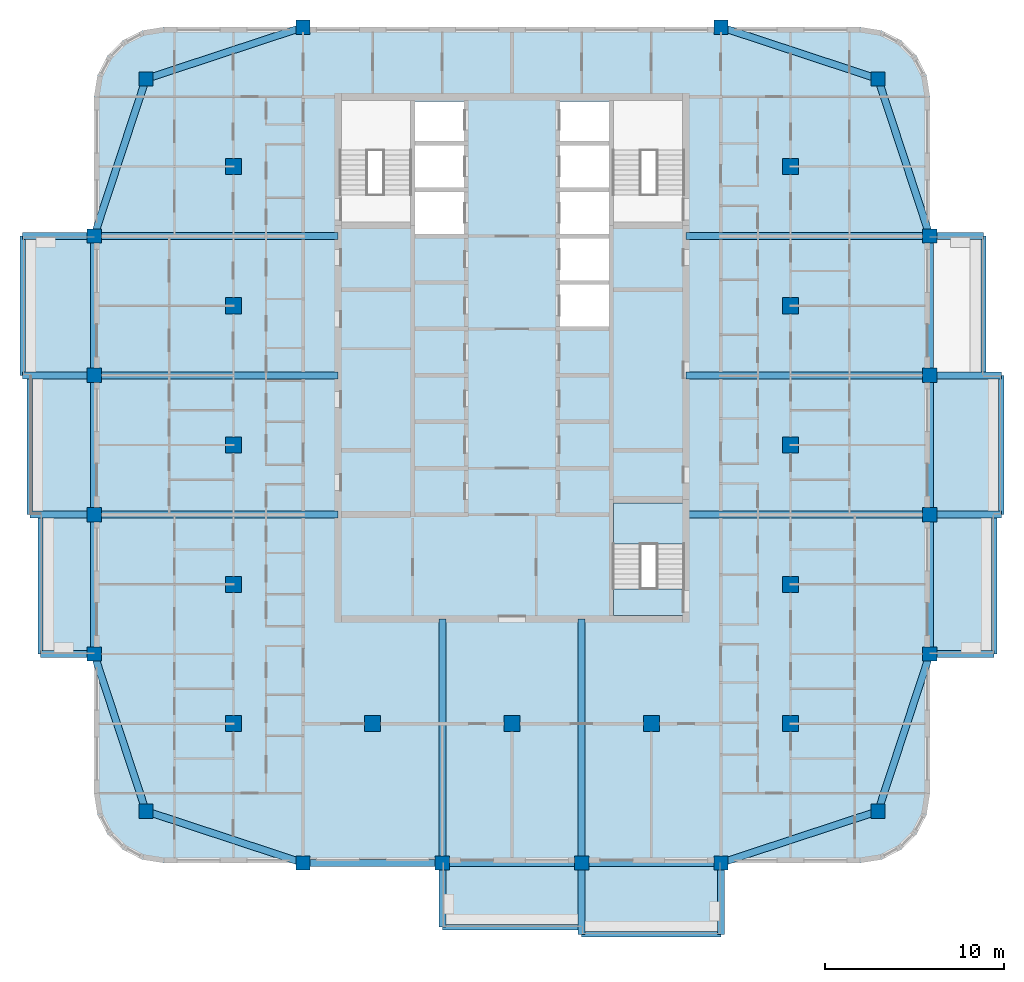
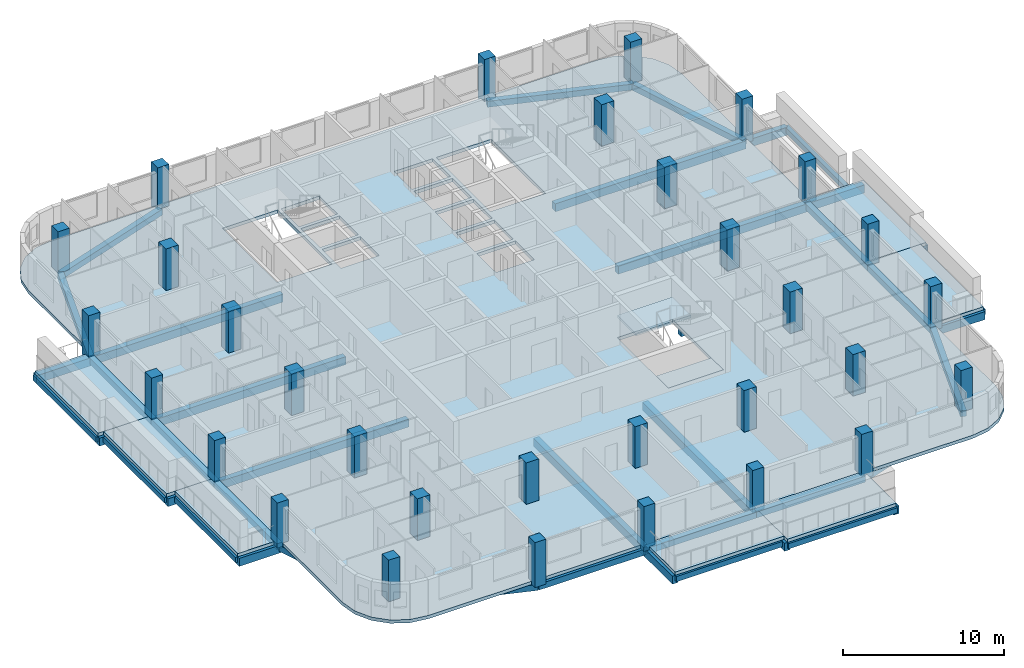
# One storey, part 1 of 16: 44 beams, 31 columns, 10 slabs, 1 element without a shape of its own.
"""IFC4 building model written with IfcOpenShell, lengths in metres."""

from ifc_helpers import new_model, si_unit, direction, frame, origin, origin_2d, place, context, subcontext, project, spatial, polyline, rectangle, outline, extrude, material, layer, layer_set, material_profile, profile_set, type_object, element, aggregate, save


model = new_model("IFC4")

# Units and contexts
model_context = context("Model", 3, precision=1e-05, world=origin(), true_north=direction((0.0, 1.0)))
body_context = subcontext(model_context, "Body", "Model", "MODEL_VIEW")
ifc_project = project(units=[si_unit("LENGTHUNIT", "METRE"), si_unit("AREAUNIT", "SQUARE_METRE"), si_unit("VOLUMEUNIT", "CUBIC_METRE"), si_unit("PLANEANGLEUNIT", "RADIAN"), si_unit("MASSUNIT", "GRAM", prefix="KILO")], contexts=[model_context])

# Site, building, storey
site_placement = place(None, origin())
site = spatial("IfcSite", under=ifc_project, at=site_placement, CompositionType="ELEMENT")
building_placement = place(site_placement, origin())
building = spatial("IfcBuilding", under=site, at=building_placement, Name="Ludao Terraces", CompositionType="ELEMENT")
storey_placement = place(building_placement, frame((0.0, 0.0, 234.699951171875)))
storey = spatial("IfcBuildingStorey", under=building, at=storey_placement, Name="L64", CompositionType="ELEMENT", Elevation=234.699951171875)

# Columns
ifc_material_1 = material(Name="Concrete C50", Category="concrete")
ifc_material_profile_1 = material_profile(ifc_material_1, rectangle(XDim=0.800048828125, YDim=0.800048828125, at=origin_2d()), Name="800 X 800")
ifc_profile_set_1 = profile_set([ifc_material_profile_1], Name="Concrete C50")
column_type_1 = type_object("IfcColumnType", Name="RC column 800x800 C50", PredefinedType="COLUMN", material=ifc_profile_set_1)
for number, where, z_axis, x_axis, name in (
    (1, (64.5, 44.5, -0.25), (0.0, 0.0, 1.0), (1.0, 0.0, 0.0), "Column L64 C0029x0029"),
    (2, (105.5, 44.5, -0.25), (0.0, 0.0, 1.0), (1.0, 0.0, 0.0), "Column L64 C0439x0029"),
    (3, (64.5, 85.5, -0.25), (0.0, 0.0, 1.0), (1.0, 0.0, 0.0), "Column L64 C0029x0439"),
    (4, (105.5, 85.5, -0.25), (0.0, 0.0, 1.0), (1.0, 0.0, 0.0), "Column L64 C0439x0439"),
    (5, (61.60009765625, 53.300048828125, -0.25), (0.0, 0.0, 1.0), (1.0, 0.0, 0.0), "Column L64 F0000x0117"),
    (6, (108.39990234375, 53.300048828125, -0.25), (0.0, 0.0, 1.0), (1.0, 0.0, 0.0), "Column L64 F0468x0117"),
    (7, (73.300048828125, 41.60009765625, -0.25), (0.0, 0.0, 1.0), (1.0, 0.0, 0.0), "Column L64 F0117x0000"),
    (8, (73.300048828125, 88.39990234375, -0.25), (0.0, 0.0, 1.0), (1.0, 0.0, 0.0), "Column L64 F0117x0468"),
    (9, (61.60009765625, 61.10009765625, -0.25), (0.0, 0.0, 1.0), (1.0, 0.0, 0.0), "Column L64 F0000x0195"),
    (10, (108.39990234375, 61.10009765625, -0.25), (0.0, 0.0, 1.0), (1.0, 0.0, 0.0), "Column L64 F0468x0195"),
    (11, (81.10009765625, 41.60009765625, -0.25), (0.0, 0.0, 1.0), (1.0, 0.0, 0.0), "Column L64 F0195x0000"),
    (12, (61.60009765625, 68.89990234375, -0.25), (0.0, 0.0, 1.0), (1.0, 0.0, 0.0), "Column L64 F0000x0273"),
    (13, (108.39990234375, 68.89990234375, -0.25), (0.0, 0.0, 1.0), (1.0, 0.0, 0.0), "Column L64 F0468x0273"),
    (14, (88.89990234375, 41.60009765625, -0.25), (0.0, 0.0, 1.0), (1.0, 0.0, 0.0), "Column L64 F0273x0000"),
    (15, (61.60009765625, 76.699951171875, -0.25), (0.0, 0.0, 1.0), (1.0, 0.0, 0.0), "Column L64 F0000x0351"),
    (16, (108.39990234375, 76.699951171875, -0.25), (0.0, 0.0, 1.0), (1.0, 0.0, 0.0), "Column L64 F0468x0351"),
    (17, (96.699951171875, 41.60009765625, -0.25), (0.0, 0.0, 1.0), (1.0, 0.0, 0.0), "Column L64 F0351x0000"),
    (18, (96.699951171875, 88.39990234375, -0.25), (0.0, 0.0, 1.0), (1.0, 0.0, 0.0), "Column L64 F0351x0468"),
):
    element("IfcColumn", number, at=place(storey_placement, frame(where, z_axis=z_axis, x_axis=x_axis)), inside=storey, type_object=column_type_1, Name=name, PredefinedType="COLUMN", context=body_context, shape_type="SweptSolid", body=[
        extrude(rectangle(XDim=0.800048828125, YDim=0.800048828125, at=origin_2d()), origin(), (0.0, 0.0, 1.0), 3.400146484375),
    ])
ifc_material_profile_2 = material_profile(ifc_material_1, rectangle(XDim=0.89990234375, YDim=0.89990234375, at=origin_2d()), Name="900 X 900")
ifc_profile_set_2 = profile_set([ifc_material_profile_2], Name="Concrete C50")
column_type_2 = type_object("IfcColumnType", Name="RC column 900x900 C50", PredefinedType="COLUMN", material=ifc_profile_set_2)
for number, where, z_axis, x_axis, name in (
    (19, (69.39990234375, 49.39990234375, -0.25), (0.0, 0.0, 1.0), (1.0, 0.0, 0.0), "Column L64 S0078x0078"),
    (20, (69.39990234375, 57.199951171875, -0.25), (0.0, 0.0, 1.0), (1.0, 0.0, 0.0), "Column L64 S0078x0156"),
    (21, (69.39990234375, 65.0, -0.25), (0.0, 0.0, 1.0), (1.0, 0.0, 0.0), "Column L64 S0078x0234"),
    (22, (69.39990234375, 72.800048828125, -0.25), (0.0, 0.0, 1.0), (1.0, 0.0, 0.0), "Column L64 S0078x0312"),
    (23, (69.39990234375, 80.60009765625, -0.25), (0.0, 0.0, 1.0), (1.0, 0.0, 0.0), "Column L64 S0078x0390"),
    (24, (77.199951171875, 49.39990234375, -0.25), (0.0, 0.0, 1.0), (1.0, 0.0, 0.0), "Column L64 S0156x0078"),
    (25, (85.0, 49.39990234375, -0.25), (0.0, 0.0, 1.0), (1.0, 0.0, 0.0), "Column L64 S0234x0078"),
    (26, (92.800048828125, 49.39990234375, -0.25), (0.0, 0.0, 1.0), (1.0, 0.0, 0.0), "Column L64 S0312x0078"),
    (27, (100.60009765625, 49.39990234375, -0.25), (0.0, 0.0, 1.0), (1.0, 0.0, 0.0), "Column L64 S0390x0078"),
    (28, (100.60009765625, 57.199951171875, -0.25), (0.0, 0.0, 1.0), (1.0, 0.0, 0.0), "Column L64 S0390x0156"),
    (29, (100.60009765625, 65.0, -0.25), (0.0, 0.0, 1.0), (1.0, 0.0, 0.0), "Column L64 S0390x0234"),
    (30, (100.60009765625, 72.800048828125, -0.25), (0.0, 0.0, 1.0), (1.0, 0.0, 0.0), "Column L64 S0390x0312"),
    (31, (100.60009765625, 80.60009765625, -0.25), (0.0, 0.0, 1.0), (1.0, 0.0, 0.0), "Column L64 S0390x0390"),
):
    element("IfcColumn", number, at=place(storey_placement, frame(where, z_axis=z_axis, x_axis=x_axis)), inside=storey, type_object=column_type_2, Name=name, PredefinedType="COLUMN", context=body_context, shape_type="SweptSolid", body=[
        extrude(rectangle(XDim=0.89990234375, YDim=0.89990234375, at=origin_2d()), origin(), (0.0, 0.0, 1.0), 3.400146484375),
    ])

# Beams
ifc_material_2 = material(Name="Concrete C40", Category="concrete")
ifc_material_profile_3 = material_profile(ifc_material_2, rectangle(XDim=0.300048828125, YDim=0.39990234375, at=origin_2d()), Name="300 X 400")
ifc_profile_set_3 = profile_set([ifc_material_profile_3], Name="Concrete C40")
beam_type_1 = type_object("IfcBeamType", Name="RC beam 300x400 C40", PredefinedType="BEAM", material=ifc_profile_set_3)
beam_1_placement = place(storey_placement, frame((81.10009765625, 38.0, -0.449951171875), z_axis=(1.0, 0.0, 0.0), x_axis=(0.0, 1.0, 0.0)))
element("IfcBeam", 32, at=beam_1_placement, inside=storey, type_object=beam_type_1, Name="Balcony edge beam L64 S2", PredefinedType="BEAM", context=body_context, shape_type="SweptSolid", body=[
    extrude(rectangle(XDim=0.300048828125, YDim=0.39990234375, at=origin_2d()), origin(), (0.0, 0.0, 1.0), 7.7998046875),
])
for number, where, z_axis, x_axis, name in (
    (33, (88.89990234375, 37.60009765625, -0.449951171875), (1.0, 0.0, 0.0), (0.0, 1.0, 0.0), "Balcony edge beam L64 S3"),
    (34, (112.0, 53.300048828125, -0.449951171875), (0.0, 1.0, 0.0), (-1.0, 0.0, 0.0), "Balcony edge beam L64 E1"),
):
    element("IfcBeam", number, at=place(storey_placement, frame(where, z_axis=z_axis, x_axis=x_axis)), inside=storey, type_object=beam_type_1, Name=name, PredefinedType="BEAM", context=body_context, shape_type="SweptSolid", body=[
        extrude(rectangle(XDim=0.300048828125, YDim=0.39990234375, at=origin_2d()), origin(), (0.0, 0.0, 1.0), 7.800048828125),
    ])
beam_2_placement = place(storey_placement, frame((112.39990234375, 61.10009765625, -0.449951171875), z_axis=(0.0, 1.0, 0.0), x_axis=(-1.0, 0.0, 0.0)))
element("IfcBeam", 35, at=beam_2_placement, inside=storey, type_object=beam_type_1, Name="Balcony edge beam L64 E2", PredefinedType="BEAM", context=body_context, shape_type="SweptSolid", body=[
    extrude(rectangle(XDim=0.300048828125, YDim=0.39990234375, at=origin_2d()), origin(), (0.0, 0.0, 1.0), 7.7998046875),
])
for number, where, z_axis, x_axis, name in (
    (36, (111.39990234375, 68.89990234375, -0.449951171875), (0.0, 1.0, 0.0), (-1.0, 0.0, 0.0), "Balcony edge beam L64 E3"),
    (37, (58.60009765625, 53.300048828125, -0.449951171875), (0.0, 1.0, 0.0), (-1.0, 0.0, 0.0), "Balcony edge beam L64 W1"),
):
    element("IfcBeam", number, at=place(storey_placement, frame(where, z_axis=z_axis, x_axis=x_axis)), inside=storey, type_object=beam_type_1, Name=name, PredefinedType="BEAM", context=body_context, shape_type="SweptSolid", body=[
        extrude(rectangle(XDim=0.300048828125, YDim=0.39990234375, at=origin_2d()), origin(), (0.0, 0.0, 1.0), 7.800048828125),
    ])
beam_3_placement = place(storey_placement, frame((58.0, 61.10009765625, -0.449951171875), z_axis=(0.0, 1.0, 0.0), x_axis=(-1.0, 0.0, 0.0)))
element("IfcBeam", 38, at=beam_3_placement, inside=storey, type_object=beam_type_1, Name="Balcony edge beam L64 W2", PredefinedType="BEAM", context=body_context, shape_type="SweptSolid", body=[
    extrude(rectangle(XDim=0.300048828125, YDim=0.39990234375, at=origin_2d()), origin(), (0.0, 0.0, 1.0), 7.7998046875),
])
beam_4_placement = place(storey_placement, frame((57.60009765625, 68.89990234375, -0.449951171875), z_axis=(0.0, 1.0, 0.0), x_axis=(-1.0, 0.0, 0.0)))
element("IfcBeam", 39, at=beam_4_placement, inside=storey, type_object=beam_type_1, Name="Balcony edge beam L64 W3", PredefinedType="BEAM", context=body_context, shape_type="SweptSolid", body=[
    extrude(rectangle(XDim=0.300048828125, YDim=0.39990234375, at=origin_2d()), origin(), (0.0, 0.0, 1.0), 7.800048828125),
])
ifc_material_profile_4 = material_profile(ifc_material_2, rectangle(XDim=0.39990234375, YDim=0.449951171875, at=origin_2d()), Name="400 X 450")
ifc_profile_set_4 = profile_set([ifc_material_profile_4], Name="Concrete C40")
beam_type_2 = type_object("IfcBeamType", Name="RC beam 400x450 C40", PredefinedType="BEAM", material=ifc_profile_set_4)
beam_5_placement = place(storey_placement, frame((64.5, 44.5, -0.474853515625), z_axis=(0.949760691408, -0.312977042379, 0.0), x_axis=(0.312977042379, 0.949760691408, 0.0)))
element("IfcBeam", 40, at=beam_5_placement, inside=storey, type_object=beam_type_2, Name="Spandrel beam L64 S1", PredefinedType="BEAM", context=body_context, shape_type="SweptSolid", body=[
    extrude(rectangle(XDim=0.39990234375, YDim=0.449951171875, at=origin_2d()), origin(), (0.0, 0.0, 1.0), 9.265625),
])
beam_6_placement = place(storey_placement, frame((73.300048828125, 41.60009765625, -0.474853515625), z_axis=(1.0, 0.0, 0.0), x_axis=(0.0, 1.0, 0.0)))
element("IfcBeam", 41, at=beam_6_placement, inside=storey, type_object=beam_type_2, Name="Spandrel beam L64 S2", PredefinedType="BEAM", context=body_context, shape_type="SweptSolid", body=[
    extrude(rectangle(XDim=0.39990234375, YDim=0.449951171875, at=origin_2d()), origin(), (0.0, 0.0, 1.0), 7.800048828125),
])
beam_7_placement = place(storey_placement, frame((81.10009765625, 41.60009765625, -0.474853515625), z_axis=(1.0, 0.0, 0.0), x_axis=(0.0, 1.0, 0.0)))
element("IfcBeam", 42, at=beam_7_placement, inside=storey, type_object=beam_type_2, Name="Spandrel beam L64 S3", PredefinedType="BEAM", context=body_context, shape_type="SweptSolid", body=[
    extrude(rectangle(XDim=0.39990234375, YDim=0.449951171875, at=origin_2d()), origin(), (0.0, 0.0, 1.0), 7.7998046875),
])
beam_8_placement = place(storey_placement, frame((88.89990234375, 41.60009765625, -0.474853515625), z_axis=(1.0, 0.0, 0.0), x_axis=(0.0, 1.0, 0.0)))
element("IfcBeam", 43, at=beam_8_placement, inside=storey, type_object=beam_type_2, Name="Spandrel beam L64 S4", PredefinedType="BEAM", context=body_context, shape_type="SweptSolid", body=[
    extrude(rectangle(XDim=0.39990234375, YDim=0.449951171875, at=origin_2d()), origin(), (0.0, 0.0, 1.0), 7.800048828125),
])
for number, where, z_axis, x_axis, name in (
    (44, (96.699951171875, 41.60009765625, -0.474853515625), (0.949760691408, 0.312977042379, 0.0), (-0.312977042379, 0.949760691408, 0.0), "Spandrel beam L64 S5"),
    (45, (64.5, 85.5, -0.474853515625), (0.949760691408, 0.312977042379, 0.0), (-0.312977042379, 0.949760691408, 0.0), "Spandrel beam L64 N6"),
    (46, (96.699951171875, 88.39990234375, -0.474853515625), (0.949760691408, -0.312977042379, 0.0), (0.312977042379, 0.949760691408, 0.0), "Spandrel beam L64 N7"),
    (47, (64.5, 44.5, -0.474853515625), (-0.312977042379, 0.949760691408, 0.0), (-0.949760691408, -0.312977042379, 0.0), "Spandrel beam L64 W8"),
):
    element("IfcBeam", number, at=place(storey_placement, frame(where, z_axis=z_axis, x_axis=x_axis)), inside=storey, type_object=beam_type_2, Name=name, PredefinedType="BEAM", context=body_context, shape_type="SweptSolid", body=[
        extrude(rectangle(XDim=0.39990234375, YDim=0.449951171875, at=origin_2d()), origin(), (0.0, 0.0, 1.0), 9.265625),
    ])
beam_9_placement = place(storey_placement, frame((61.60009765625, 53.300048828125, -0.474853515625), z_axis=(0.0, 1.0, 0.0), x_axis=(-1.0, 0.0, 0.0)))
element("IfcBeam", 48, at=beam_9_placement, inside=storey, type_object=beam_type_2, Name="Spandrel beam L64 W9", PredefinedType="BEAM", context=body_context, shape_type="SweptSolid", body=[
    extrude(rectangle(XDim=0.39990234375, YDim=0.449951171875, at=origin_2d()), origin(), (0.0, 0.0, 1.0), 7.800048828125),
])
beam_10_placement = place(storey_placement, frame((61.60009765625, 61.10009765625, -0.474853515625), z_axis=(0.0, 1.0, 0.0), x_axis=(-1.0, 0.0, 0.0)))
element("IfcBeam", 49, at=beam_10_placement, inside=storey, type_object=beam_type_2, Name="Spandrel beam L64 W10", PredefinedType="BEAM", context=body_context, shape_type="SweptSolid", body=[
    extrude(rectangle(XDim=0.39990234375, YDim=0.449951171875, at=origin_2d()), origin(), (0.0, 0.0, 1.0), 7.7998046875),
])
beam_11_placement = place(storey_placement, frame((61.60009765625, 68.89990234375, -0.474853515625), z_axis=(0.0, 1.0, 0.0), x_axis=(-1.0, 0.0, 0.0)))
element("IfcBeam", 50, at=beam_11_placement, inside=storey, type_object=beam_type_2, Name="Spandrel beam L64 W11", PredefinedType="BEAM", context=body_context, shape_type="SweptSolid", body=[
    extrude(rectangle(XDim=0.39990234375, YDim=0.449951171875, at=origin_2d()), origin(), (0.0, 0.0, 1.0), 7.800048828125),
])
for number, where, z_axis, x_axis, name in (
    (51, (61.60009765625, 76.699951171875, -0.474853515625), (0.312977042379, 0.949760691408, 0.0), (-0.949760691408, 0.312977042379, 0.0), "Spandrel beam L64 W12"),
    (52, (105.5, 44.5, -0.474853515625), (0.312977042379, 0.949760691408, 0.0), (-0.949760691408, 0.312977042379, 0.0), "Spandrel beam L64 E13"),
):
    element("IfcBeam", number, at=place(storey_placement, frame(where, z_axis=z_axis, x_axis=x_axis)), inside=storey, type_object=beam_type_2, Name=name, PredefinedType="BEAM", context=body_context, shape_type="SweptSolid", body=[
        extrude(rectangle(XDim=0.39990234375, YDim=0.449951171875, at=origin_2d()), origin(), (0.0, 0.0, 1.0), 9.265625),
    ])
beam_12_placement = place(storey_placement, frame((108.39990234375, 53.300048828125, -0.474853515625), z_axis=(0.0, 1.0, 0.0), x_axis=(-1.0, 0.0, 0.0)))
element("IfcBeam", 53, at=beam_12_placement, inside=storey, type_object=beam_type_2, Name="Spandrel beam L64 E14", PredefinedType="BEAM", context=body_context, shape_type="SweptSolid", body=[
    extrude(rectangle(XDim=0.39990234375, YDim=0.449951171875, at=origin_2d()), origin(), (0.0, 0.0, 1.0), 7.800048828125),
])
beam_13_placement = place(storey_placement, frame((108.39990234375, 61.10009765625, -0.474853515625), z_axis=(0.0, 1.0, 0.0), x_axis=(-1.0, 0.0, 0.0)))
element("IfcBeam", 54, at=beam_13_placement, inside=storey, type_object=beam_type_2, Name="Spandrel beam L64 E15", PredefinedType="BEAM", context=body_context, shape_type="SweptSolid", body=[
    extrude(rectangle(XDim=0.39990234375, YDim=0.449951171875, at=origin_2d()), origin(), (0.0, 0.0, 1.0), 7.7998046875),
])
beam_14_placement = place(storey_placement, frame((108.39990234375, 68.89990234375, -0.474853515625), z_axis=(0.0, 1.0, 0.0), x_axis=(-1.0, 0.0, 0.0)))
element("IfcBeam", 55, at=beam_14_placement, inside=storey, type_object=beam_type_2, Name="Spandrel beam L64 E16", PredefinedType="BEAM", context=body_context, shape_type="SweptSolid", body=[
    extrude(rectangle(XDim=0.39990234375, YDim=0.449951171875, at=origin_2d()), origin(), (0.0, 0.0, 1.0), 7.800048828125),
])
beam_15_placement = place(storey_placement, frame((108.39990234375, 76.699951171875, -0.474853515625), z_axis=(-0.312977042379, 0.949760691408, 0.0), x_axis=(-0.949760691408, -0.312977042379, 0.0)))
element("IfcBeam", 56, at=beam_15_placement, inside=storey, type_object=beam_type_2, Name="Spandrel beam L64 E17", PredefinedType="BEAM", context=body_context, shape_type="SweptSolid", body=[
    extrude(rectangle(XDim=0.39990234375, YDim=0.449951171875, at=origin_2d()), origin(), (0.0, 0.0, 1.0), 9.265625),
])
ifc_material_profile_5 = material_profile(ifc_material_2, rectangle(XDim=0.39990234375, YDim=0.60009765625, at=origin_2d()), Name="400 X 600")
ifc_profile_set_5 = profile_set([ifc_material_profile_5], Name="Concrete C40")
beam_type_3 = type_object("IfcBeamType", Name="RC beam 400x600 C40", PredefinedType="BEAM", material=ifc_profile_set_5)
beam_16_placement = place(storey_placement, frame((108.39990234375, 53.300048828125, -0.550048828125), z_axis=(1.0, 0.0, 0.0), x_axis=(0.0, 1.0, 0.0)))
element("IfcBeam", 57, at=beam_16_placement, inside=storey, type_object=beam_type_3, Name="Balcony beam L64 E533", PredefinedType="BEAM", context=body_context, shape_type="SweptSolid", body=[
    extrude(rectangle(XDim=0.39990234375, YDim=0.60009765625, at=origin_2d()), origin(), (0.0, 0.0, 1.0), 3.60009765625),
])
beam_17_placement = place(storey_placement, frame((94.75, 61.10009765625, -0.550048828125), z_axis=(1.0, 0.0, 0.0), x_axis=(0.0, 1.0, 0.0)))
element("IfcBeam", 58, at=beam_17_placement, inside=storey, type_object=beam_type_3, Name="Balcony beam L64 E611", PredefinedType="BEAM", context=body_context, shape_type="SweptSolid", body=[
    extrude(rectangle(XDim=0.39990234375, YDim=0.60009765625, at=origin_2d()), origin(), (0.0, 0.0, 1.0), 13.64990234375),
])
beam_18_placement = place(storey_placement, frame((108.39990234375, 61.10009765625, -0.550048828125), z_axis=(1.0, 0.0, 0.0), x_axis=(0.0, 1.0, 0.0)))
element("IfcBeam", 59, at=beam_18_placement, inside=storey, type_object=beam_type_3, Name="Balcony beam L64 E611", PredefinedType="BEAM", context=body_context, shape_type="SweptSolid", body=[
    extrude(rectangle(XDim=0.39990234375, YDim=0.60009765625, at=origin_2d()), origin(), (0.0, 0.0, 1.0), 4.0),
])
beam_19_placement = place(storey_placement, frame((94.75, 68.89990234375, -0.550048828125), z_axis=(1.0, 0.0, 0.0), x_axis=(0.0, 1.0, 0.0)))
element("IfcBeam", 60, at=beam_19_placement, inside=storey, type_object=beam_type_3, Name="Balcony beam L64 E689", PredefinedType="BEAM", context=body_context, shape_type="SweptSolid", body=[
    extrude(rectangle(XDim=0.39990234375, YDim=0.60009765625, at=origin_2d()), origin(), (0.0, 0.0, 1.0), 13.64990234375),
])
beam_20_placement = place(storey_placement, frame((108.39990234375, 68.89990234375, -0.550048828125), z_axis=(1.0, 0.0, 0.0), x_axis=(0.0, 1.0, 0.0)))
element("IfcBeam", 61, at=beam_20_placement, inside=storey, type_object=beam_type_3, Name="Balcony beam L64 E689", PredefinedType="BEAM", context=body_context, shape_type="SweptSolid", body=[
    extrude(rectangle(XDim=0.39990234375, YDim=0.60009765625, at=origin_2d()), origin(), (0.0, 0.0, 1.0), 4.0),
])
beam_21_placement = place(storey_placement, frame((94.75, 76.699951171875, -0.550048828125), z_axis=(1.0, 0.0, 0.0), x_axis=(0.0, 1.0, 0.0)))
element("IfcBeam", 62, at=beam_21_placement, inside=storey, type_object=beam_type_3, Name="Balcony beam L64 E767", PredefinedType="BEAM", context=body_context, shape_type="SweptSolid", body=[
    extrude(rectangle(XDim=0.39990234375, YDim=0.60009765625, at=origin_2d()), origin(), (0.0, 0.0, 1.0), 13.64990234375),
])
beam_22_placement = place(storey_placement, frame((108.39990234375, 76.699951171875, -0.550048828125), z_axis=(1.0, 0.0, 0.0), x_axis=(0.0, 1.0, 0.0)))
element("IfcBeam", 63, at=beam_22_placement, inside=storey, type_object=beam_type_3, Name="Balcony beam L64 E767", PredefinedType="BEAM", context=body_context, shape_type="SweptSolid", body=[
    extrude(rectangle(XDim=0.39990234375, YDim=0.60009765625, at=origin_2d()), origin(), (0.0, 0.0, 1.0), 3.0),
])
beam_23_placement = place(storey_placement, frame((81.10009765625, 55.25, -0.550048828125), z_axis=(0.0, -1.0, 0.0), x_axis=(1.0, 0.0, 0.0)))
element("IfcBeam", 64, at=beam_23_placement, inside=storey, type_object=beam_type_3, Name="Balcony beam L64 S811", PredefinedType="BEAM", context=body_context, shape_type="SweptSolid", body=[
    extrude(rectangle(XDim=0.39990234375, YDim=0.60009765625, at=origin_2d()), origin(), (0.0, 0.0, 1.0), 13.64990234375),
])
beam_24_placement = place(storey_placement, frame((81.10009765625, 41.60009765625, -0.550048828125), z_axis=(0.0, -1.0, 0.0), x_axis=(1.0, 0.0, 0.0)))
element("IfcBeam", 65, at=beam_24_placement, inside=storey, type_object=beam_type_3, Name="Balcony beam L64 S811", PredefinedType="BEAM", context=body_context, shape_type="SweptSolid", body=[
    extrude(rectangle(XDim=0.39990234375, YDim=0.60009765625, at=origin_2d()), origin(), (0.0, 0.0, 1.0), 3.60009765625),
])
beam_25_placement = place(storey_placement, frame((88.89990234375, 55.25, -0.550048828125), z_axis=(0.0, -1.0, 0.0), x_axis=(1.0, 0.0, 0.0)))
element("IfcBeam", 66, at=beam_25_placement, inside=storey, type_object=beam_type_3, Name="Balcony beam L64 S889", PredefinedType="BEAM", context=body_context, shape_type="SweptSolid", body=[
    extrude(rectangle(XDim=0.39990234375, YDim=0.60009765625, at=origin_2d()), origin(), (0.0, 0.0, 1.0), 13.64990234375),
])
for number, where, z_axis, x_axis, name in (
    (67, (88.89990234375, 41.60009765625, -0.550048828125), (0.0, -1.0, 0.0), (1.0, 0.0, 0.0), "Balcony beam L64 S889"),
    (68, (96.699951171875, 41.60009765625, -0.550048828125), (0.0, -1.0, 0.0), (1.0, 0.0, 0.0), "Balcony beam L64 S967"),
):
    element("IfcBeam", number, at=place(storey_placement, frame(where, z_axis=z_axis, x_axis=x_axis)), inside=storey, type_object=beam_type_3, Name=name, PredefinedType="BEAM", context=body_context, shape_type="SweptSolid", body=[
        extrude(rectangle(XDim=0.39990234375, YDim=0.60009765625, at=origin_2d()), origin(), (0.0, 0.0, 1.0), 4.0),
    ])
beam_26_placement = place(storey_placement, frame((61.60009765625, 53.300048828125, -0.550048828125), z_axis=(-1.0, 0.0, 0.0), x_axis=(0.0, -1.0, 0.0)))
element("IfcBeam", 69, at=beam_26_placement, inside=storey, type_object=beam_type_3, Name="Balcony beam L64 W533", PredefinedType="BEAM", context=body_context, shape_type="SweptSolid", body=[
    extrude(rectangle(XDim=0.39990234375, YDim=0.60009765625, at=origin_2d()), origin(), (0.0, 0.0, 1.0), 3.0),
])
beam_27_placement = place(storey_placement, frame((75.25, 61.10009765625, -0.550048828125), z_axis=(-1.0, 0.0, 0.0), x_axis=(0.0, -1.0, 0.0)))
element("IfcBeam", 70, at=beam_27_placement, inside=storey, type_object=beam_type_3, Name="Balcony beam L64 W611", PredefinedType="BEAM", context=body_context, shape_type="SweptSolid", body=[
    extrude(rectangle(XDim=0.39990234375, YDim=0.60009765625, at=origin_2d()), origin(), (0.0, 0.0, 1.0), 13.64990234375),
])
beam_28_placement = place(storey_placement, frame((61.60009765625, 61.10009765625, -0.550048828125), z_axis=(-1.0, 0.0, 0.0), x_axis=(0.0, -1.0, 0.0)))
element("IfcBeam", 71, at=beam_28_placement, inside=storey, type_object=beam_type_3, Name="Balcony beam L64 W611", PredefinedType="BEAM", context=body_context, shape_type="SweptSolid", body=[
    extrude(rectangle(XDim=0.39990234375, YDim=0.60009765625, at=origin_2d()), origin(), (0.0, 0.0, 1.0), 3.60009765625),
])
beam_29_placement = place(storey_placement, frame((75.25, 68.89990234375, -0.550048828125), z_axis=(-1.0, 0.0, 0.0), x_axis=(0.0, -1.0, 0.0)))
element("IfcBeam", 72, at=beam_29_placement, inside=storey, type_object=beam_type_3, Name="Balcony beam L64 W689", PredefinedType="BEAM", context=body_context, shape_type="SweptSolid", body=[
    extrude(rectangle(XDim=0.39990234375, YDim=0.60009765625, at=origin_2d()), origin(), (0.0, 0.0, 1.0), 13.64990234375),
])
beam_30_placement = place(storey_placement, frame((61.60009765625, 68.89990234375, -0.550048828125), z_axis=(-1.0, 0.0, 0.0), x_axis=(0.0, -1.0, 0.0)))
element("IfcBeam", 73, at=beam_30_placement, inside=storey, type_object=beam_type_3, Name="Balcony beam L64 W689", PredefinedType="BEAM", context=body_context, shape_type="SweptSolid", body=[
    extrude(rectangle(XDim=0.39990234375, YDim=0.60009765625, at=origin_2d()), origin(), (0.0, 0.0, 1.0), 4.0),
])
beam_31_placement = place(storey_placement, frame((75.25, 76.699951171875, -0.550048828125), z_axis=(-1.0, 0.0, 0.0), x_axis=(0.0, -1.0, 0.0)))
element("IfcBeam", 74, at=beam_31_placement, inside=storey, type_object=beam_type_3, Name="Balcony beam L64 W767", PredefinedType="BEAM", context=body_context, shape_type="SweptSolid", body=[
    extrude(rectangle(XDim=0.39990234375, YDim=0.60009765625, at=origin_2d()), origin(), (0.0, 0.0, 1.0), 13.64990234375),
])
beam_32_placement = place(storey_placement, frame((61.60009765625, 76.699951171875, -0.550048828125), z_axis=(-1.0, 0.0, 0.0), x_axis=(0.0, -1.0, 0.0)))
element("IfcBeam", 75, at=beam_32_placement, inside=storey, type_object=beam_type_3, Name="Balcony beam L64 W767", PredefinedType="BEAM", context=body_context, shape_type="SweptSolid", body=[
    extrude(rectangle(XDim=0.39990234375, YDim=0.60009765625, at=origin_2d()), origin(), (0.0, 0.0, 1.0), 4.0),
])

# Slabs
ifc_layer_1 = layer(ifc_material_2, 0.25)
ifc_layer_set_1 = layer_set([ifc_layer_1], Name="Balcony slab 250 C40")
slab_type_1 = type_object("IfcSlabType", Name="Balcony slab 250 C40", PredefinedType="USERDEFINED", material=ifc_layer_set_1)
slab_1_placement = place(storey_placement, frame((0.0, 0.0, -0.25)))
element("IfcSlab", 76, at=slab_1_placement, inside=storey, type_object=slab_type_1, Name="Balcony L64 S2", ObjectType="BALCONY", PredefinedType="USERDEFINED", context=body_context, shape_type="SweptSolid", body=[
    extrude(outline(polyline([(81.10009765625, 38.0), (88.89990234375, 38.0), (88.89990234375, 41.60009765625), (81.10009765625, 41.60009765625), (81.10009765625, 38.0)])), origin(), (0.0, 0.0, 1.0), 0.25),
])
slab_2_placement = place(storey_placement, frame((0.0, 0.0, -0.25)))
element("IfcSlab", 77, at=slab_2_placement, inside=storey, type_object=slab_type_1, Name="Balcony L64 S3", ObjectType="BALCONY", PredefinedType="USERDEFINED", context=body_context, shape_type="SweptSolid", body=[
    extrude(outline(polyline([(88.89990234375, 37.60009765625), (96.699951171875, 37.60009765625), (96.699951171875, 41.60009765625), (88.89990234375, 41.60009765625), (88.89990234375, 37.60009765625)])), origin(), (0.0, 0.0, 1.0), 0.25),
])
slab_3_placement = place(storey_placement, frame((0.0, 0.0, -0.25)))
element("IfcSlab", 78, at=slab_3_placement, inside=storey, type_object=slab_type_1, Name="Balcony L64 E1", ObjectType="BALCONY", PredefinedType="USERDEFINED", context=body_context, shape_type="SweptSolid", body=[
    extrude(outline(polyline([(108.39990234375, 53.300048828125), (112.0, 53.300048828125), (112.0, 61.10009765625), (108.39990234375, 61.10009765625), (108.39990234375, 53.300048828125)])), origin(), (0.0, 0.0, 1.0), 0.25),
])
slab_4_placement = place(storey_placement, frame((0.0, 0.0, -0.25)))
element("IfcSlab", 79, at=slab_4_placement, inside=storey, type_object=slab_type_1, Name="Balcony L64 E2", ObjectType="BALCONY", PredefinedType="USERDEFINED", context=body_context, shape_type="SweptSolid", body=[
    extrude(outline(polyline([(108.39990234375, 61.10009765625), (112.39990234375, 61.10009765625), (112.39990234375, 68.89990234375), (108.39990234375, 68.89990234375), (108.39990234375, 61.10009765625)])), origin(), (0.0, 0.0, 1.0), 0.25),
])
slab_5_placement = place(storey_placement, frame((0.0, 0.0, -0.25)))
element("IfcSlab", 80, at=slab_5_placement, inside=storey, type_object=slab_type_1, Name="Balcony L64 W1", ObjectType="BALCONY", PredefinedType="USERDEFINED", context=body_context, shape_type="SweptSolid", body=[
    extrude(outline(polyline([(58.60009765625, 53.300048828125), (61.60009765625, 53.300048828125), (61.60009765625, 61.10009765625), (58.60009765625, 61.10009765625), (58.60009765625, 53.300048828125)])), origin(), (0.0, 0.0, 1.0), 0.25),
])
slab_6_placement = place(storey_placement, frame((0.0, 0.0, -0.25)))
element("IfcSlab", 81, at=slab_6_placement, inside=storey, type_object=slab_type_1, Name="Balcony L64 W2", ObjectType="BALCONY", PredefinedType="USERDEFINED", context=body_context, shape_type="SweptSolid", body=[
    extrude(outline(polyline([(58.0, 61.10009765625), (61.60009765625, 61.10009765625), (61.60009765625, 68.89990234375), (58.0, 68.89990234375), (58.0, 61.10009765625)])), origin(), (0.0, 0.0, 1.0), 0.25),
])
slab_7_placement = place(storey_placement, frame((0.0, 0.0, -0.25)))
element("IfcSlab", 82, at=slab_7_placement, inside=storey, type_object=slab_type_1, Name="Balcony L64 W3", ObjectType="BALCONY", PredefinedType="USERDEFINED", context=body_context, shape_type="SweptSolid", body=[
    extrude(outline(polyline([(57.60009765625, 68.89990234375), (61.60009765625, 68.89990234375), (61.60009765625, 76.699951171875), (57.60009765625, 76.699951171875), (57.60009765625, 68.89990234375)])), origin(), (0.0, 0.0, 1.0), 0.25),
])
ifc_layer_2 = layer(ifc_material_2, 0.25)
ifc_layer_set_2 = layer_set([ifc_layer_2], Name="Floor slab 250 C40")
slab_type_2 = type_object("IfcSlabType", Name="Floor slab 250 C40", PredefinedType="FLOOR", material=ifc_layer_set_2)
slab_8_placement = place(storey_placement, frame((0.0, 0.0, -0.25)))
element("IfcSlab", 83, at=slab_8_placement, inside=storey, type_object=slab_type_2, Name="Slab L64", PredefinedType="FLOOR", context=body_context, shape_type="SweptSolid", body=[
    extrude(outline(polyline([(104.5, 41.60009765625), (105.705078125, 41.790771484375), (106.79248046875, 42.3447265625), (107.6552734375, 43.20751953125), (108.209228515625, 44.294921875), (108.39990234375, 45.5), (108.39990234375, 84.5), (108.209228515625, 85.705078125), (107.6552734375, 86.79248046875), (106.79248046875, 87.6552734375), (105.705078125, 88.209228515625), (104.5, 88.39990234375), (65.5, 88.39990234375), (64.294921875, 88.209228515625), (63.20751953125, 87.6552734375), (62.3447265625, 86.79248046875), (61.790771484375, 85.705078125), (61.60009765625, 84.5), (61.60009765625, 45.5), (61.790771484375, 44.294921875), (62.3447265625, 43.20751953125), (63.20751953125, 42.3447265625), (64.294921875, 41.790771484375), (65.5, 41.60009765625), (104.5, 41.60009765625)]), holes=[polyline([(79.574951171875, 76.824951171875), (82.324951171875, 76.824951171875), (82.324951171875, 79.175048828125), (79.574951171875, 79.175048828125), (79.574951171875, 76.824951171875)]), polyline([(79.574951171875, 79.425048828125), (82.324951171875, 79.425048828125), (82.324951171875, 81.77490234375), (79.574951171875, 81.77490234375), (79.574951171875, 79.425048828125)]), polyline([(79.574951171875, 82.02490234375), (82.324951171875, 82.02490234375), (82.324951171875, 84.239990234375), (79.574951171875, 84.239990234375), (79.574951171875, 82.02490234375)]), polyline([(87.675048828125, 71.625), (90.425048828125, 71.625), (90.425048828125, 73.97509765625), (87.675048828125, 73.97509765625), (87.675048828125, 71.625)]), polyline([(87.675048828125, 74.22509765625), (90.425048828125, 74.22509765625), (90.425048828125, 76.574951171875), (87.675048828125, 76.574951171875), (87.675048828125, 74.22509765625)]), polyline([(87.675048828125, 76.824951171875), (90.425048828125, 76.824951171875), (90.425048828125, 79.175048828125), (87.675048828125, 79.175048828125), (87.675048828125, 76.824951171875)]), polyline([(87.675048828125, 79.425048828125), (90.425048828125, 79.425048828125), (90.425048828125, 81.77490234375), (87.675048828125, 81.77490234375), (87.675048828125, 79.425048828125)]), polyline([(87.675048828125, 82.02490234375), (90.425048828125, 82.02490234375), (90.425048828125, 84.239990234375), (87.675048828125, 84.239990234375), (87.675048828125, 82.02490234375)]), polyline([(75.375, 77.5), (79.324951171875, 77.5), (79.324951171875, 84.239990234375), (75.375, 84.239990234375), (75.375, 77.5)]), polyline([(90.675048828125, 77.5), (94.625, 77.5), (94.625, 84.239990234375), (90.675048828125, 84.239990234375), (90.675048828125, 77.5)]), polyline([(90.675048828125, 55.449951171875), (94.625, 55.449951171875), (94.625, 61.75), (90.675048828125, 61.75), (90.675048828125, 55.449951171875)])]), origin(), (0.0, 0.0, 1.0), 0.25),
])

# Stair, slabs
stair_type = type_object("IfcStairType", Name="INT Stair", PredefinedType="HALF_TURN_STAIR", material=ifc_material_2)
stair_placement = place(storey_placement, origin())
stair = element("IfcStair", 84, at=stair_placement, inside=storey, type_object=stair_type, Name="EXIT STAIR 3", PredefinedType="HALF_TURN_STAIR")
ifc_layer_3 = layer(ifc_material_2, 0.199951171875)
ifc_layer_set_3 = layer_set([ifc_layer_3], Name="INT Stair landing 200")
slab_type_3 = type_object("IfcSlabType", Name="INT Stair landing 200", PredefinedType="LANDING", material=ifc_layer_set_3)
slab_9_placement = place(storey_placement, frame((0.0, 0.0, 1.5)))
slab_9 = element("IfcSlab", 85, at=slab_9_placement, type_object=slab_type_3, Name="ST3 landing 1", PredefinedType="LANDING", context=body_context, shape_type="SweptSolid", body=[
    extrude(outline(polyline([(90.675048828125, 59.469970703125), (94.625, 59.469970703125), (94.625, 61.75), (90.675048828125, 61.75), (90.675048828125, 59.469970703125)])), origin(), (0.0, 0.0, 1.0), 0.199951171875),
])
slab_10_placement = place(storey_placement, frame((0.0, 0.0, -0.199951171875)))
slab_10 = element("IfcSlab", 86, at=slab_10_placement, type_object=slab_type_3, Name="ST3 landing 2", PredefinedType="LANDING", context=body_context, shape_type="SweptSolid", body=[
    extrude(outline(polyline([(90.675048828125, 55.449951171875), (94.625, 55.449951171875), (94.625, 56.949951171875), (90.675048828125, 56.949951171875), (90.675048828125, 55.449951171875)])), origin(), (0.0, 0.0, 1.0), 0.199951171875),
])
aggregate(stair, [slab_9, slab_10])

save(model, "model.ifc")
